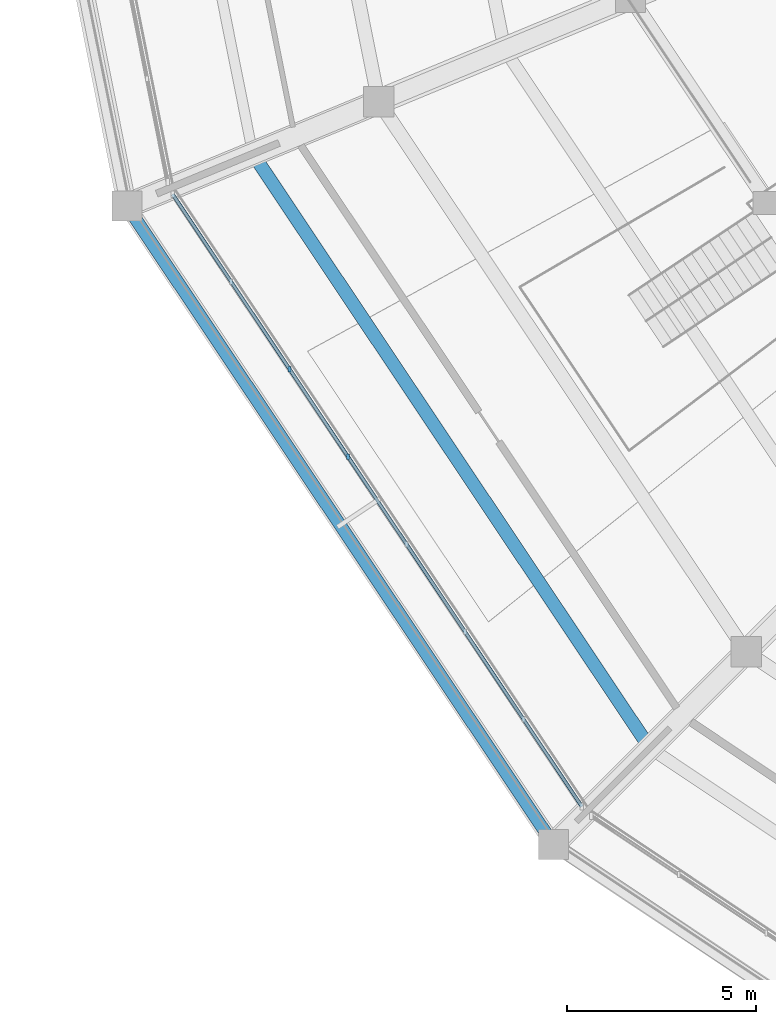
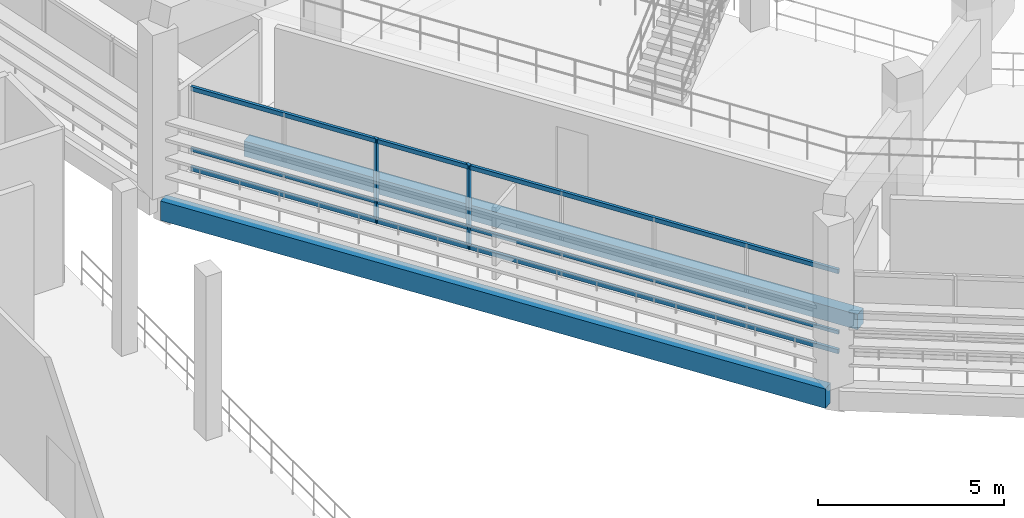
# One storey, part 8 of 96: 5 members, 2 beams, 1 element without a shape of its own.
"""IFC4 building model written with IfcOpenShell, lengths in metres."""

from ifc_helpers import new_model, si_unit, direction, frame, origin, origin_2d, place, context, subcontext, project, spatial, rectangle, extrude, material, material_profile, profile_set, type_object, element, aggregate, save


model = new_model("IFC4")

# Units and contexts
model_context = context("Model", 3, precision=1e-05, world=origin(), true_north=direction((0.0, 1.0)))
body_context = subcontext(model_context, "Body", "Model", "MODEL_VIEW")
ifc_project = project(units=[si_unit("LENGTHUNIT", "METRE"), si_unit("AREAUNIT", "SQUARE_METRE"), si_unit("VOLUMEUNIT", "CUBIC_METRE"), si_unit("PLANEANGLEUNIT", "RADIAN"), si_unit("MASSUNIT", "GRAM", prefix="KILO")], contexts=[model_context])

# Site, building, storey
site_placement = place(None, origin())
site = spatial("IfcSite", under=ifc_project, at=site_placement, CompositionType="ELEMENT")
building_placement = place(site_placement, origin())
building = spatial("IfcBuilding", under=site, at=building_placement, Name="Candeia Ridge Stadium", CompositionType="ELEMENT")
storey_placement = place(building_placement, frame((0.0, 0.0, 21.60009765625)))
storey = spatial("IfcBuildingStorey", under=building, at=storey_placement, Name="L04", CompositionType="ELEMENT", Elevation=21.60009765625)

# Curtain wall, members
ifc_material_1 = material(Name="Aluminium Anodized Warm Bronze", Category="aluminium")
curtain_wall_type = type_object("IfcCurtainWallType", Name="Concourse Recessed Unitised Curtain Wall", PredefinedType="NOTDEFINED", material=ifc_material_1)
curtain_wall_placement = place(storey_placement, origin())
curtain_wall = element("IfcCurtainWall", 1, at=curtain_wall_placement, inside=storey, type_object=curtain_wall_type, Name="Unitised curtain wall CW-BWL-L04-15", PredefinedType="NOTDEFINED")
ifc_material_profile_1 = material_profile(ifc_material_1, rectangle(XDim=0.074951171875, YDim=0.14990234375, at=origin_2d()), Name="CWM-75x150", Category="aluminium")
ifc_profile_set_1 = profile_set([ifc_material_profile_1], Name="Aluminium Anodized Warm Bronze")
member_type_1 = type_object("IfcMemberType", Name="Curtain Wall Secondary Mullion 75x150", PredefinedType="MULLION", material=ifc_profile_set_1)
member_1_placement = place(storey_placement, frame((27.256103515625, 46.78662109375, 0.0), z_axis=(0.0, 0.0, 1.0), x_axis=(1.0, 0.0, 0.0)))
member_1 = element("IfcMember", 2, at=member_1_placement, type_object=member_type_1, Name="Curtain wall mullion CW-BWL-L04-15-M2", PredefinedType="MULLION", context=body_context, shape_type="SweptSolid", body=[
    extrude(rectangle(XDim=0.074951171875, YDim=0.14990234375, at=origin_2d()), origin(), (0.0, 0.0, 1.0), 2.772216796875),
])
member_2_placement = place(storey_placement, frame((28.80078125, 44.47509765625, 0.0), z_axis=(0.0, 0.0, 1.0), x_axis=(1.0, 0.0, 0.0)))
member_2 = element("IfcMember", 3, at=member_2_placement, type_object=member_type_1, Name="Curtain wall mullion CW-BWL-L04-15-M3", PredefinedType="MULLION", context=body_context, shape_type="SweptSolid", body=[
    extrude(rectangle(XDim=0.074951171875, YDim=0.14990234375, at=origin_2d()), origin(), (0.0, 0.0, 1.0), 2.772216796875),
])
ifc_material_profile_2 = material_profile(ifc_material_1, rectangle(XDim=0.074951171875, YDim=0.110107421875, at=origin_2d()), Name="CWT-75x110", Category="aluminium")
ifc_profile_set_2 = profile_set([ifc_material_profile_2], Name="Aluminium Anodized Warm Bronze")
member_type_2 = type_object("IfcMemberType", Name="Curtain Wall Secondary Transom 75x110", PredefinedType="USERDEFINED", material=ifc_profile_set_2)
member_3_placement = place(storey_placement, frame((24.1669921875, 51.409912109375, 0.693115234375), z_axis=(0.555568394863, -0.831470840517, 0.0), x_axis=(0.831470840517, 0.555568394863, 0.0)))
member_3 = element("IfcMember", 4, at=member_3_placement, type_object=member_type_2, Name="Curtain wall transom CW-BWL-L04-15-T1", ObjectType="TRANSOM", PredefinedType="USERDEFINED", context=body_context, shape_type="SweptSolid", body=[
    extrude(rectangle(XDim=0.074951171875, YDim=0.110107421875, at=origin_2d()), origin(), (0.0, 0.0, 1.0), 19.461181640625),
])
ifc_material_profile_3 = material_profile(ifc_material_1, rectangle(XDim=0.090087890625, YDim=0.139892578125, at=origin_2d()), Name="CWT-90x140", Category="aluminium")
ifc_profile_set_3 = profile_set([ifc_material_profile_3], Name="Aluminium Anodized Warm Bronze")
member_type_3 = type_object("IfcMemberType", Name="Curtain Wall Transom 90x140", PredefinedType="USERDEFINED", material=ifc_profile_set_3)
member_4_placement = place(storey_placement, frame((24.1669921875, 51.409912109375, 0.06982421875), z_axis=(0.555568394863, -0.831470840517, 0.0), x_axis=(0.831470840517, 0.555568394863, 0.0)))
member_4 = element("IfcMember", 5, at=member_4_placement, type_object=member_type_3, Name="Curtain wall transom CW-BWL-L04-15-T0", ObjectType="TRANSOM", PredefinedType="USERDEFINED", context=body_context, shape_type="SweptSolid", body=[
    extrude(rectangle(XDim=0.090087890625, YDim=0.139892578125, at=origin_2d()), origin(), (0.0, 0.0, 1.0), 19.461181640625),
])
member_5_placement = place(storey_placement, frame((24.1669921875, 51.409912109375, 2.7021484375), z_axis=(0.555568394863, -0.831470840517, 0.0), x_axis=(0.831470840517, 0.555568394863, 0.0)))
member_5 = element("IfcMember", 6, at=member_5_placement, type_object=member_type_3, Name="Curtain wall transom CW-BWL-L04-15-T2", ObjectType="TRANSOM", PredefinedType="USERDEFINED", context=body_context, shape_type="SweptSolid", body=[
    extrude(rectangle(XDim=0.090087890625, YDim=0.139892578125, at=origin_2d()), origin(), (0.0, 0.0, 1.0), 19.461181640625),
])
aggregate(curtain_wall, [member_1, member_2, member_4, member_3, member_5])

# Beams
ifc_material_2 = material(Name="Concrete C40/50", Category="concrete")
ifc_material_profile_4 = material_profile(ifc_material_2, rectangle(XDim=0.35009765625, YDim=0.5, at=origin_2d()), Name="RC350x500", Category="concrete")
ifc_profile_set_4 = profile_set([ifc_material_profile_4], Name="Concrete C40/50")
beam_type_1 = type_object("IfcBeamType", Name="Floor Joist RC350x500", PredefinedType="JOIST", material=ifc_profile_set_4)
beam_1_placement = place(storey_placement, frame((26.407470703125, 52.29345703125, -0.510009765625), z_axis=(0.555573683674, -0.831467306639, 0.0), x_axis=(0.831467306639, 0.555573683674, 0.0)))
element("IfcBeam", 7, at=beam_1_placement, inside=storey, type_object=beam_type_1, Name="Concourse secondary joist BM-L04-0867", PredefinedType="JOIST", context=body_context, shape_type="SweptSolid", body=[
    extrude(rectangle(XDim=0.35009765625, YDim=0.5, at=origin_2d()), origin(), (0.0, 0.0, 1.0), 18.440673828125),
])
ifc_material_profile_5 = material_profile(ifc_material_2, rectangle(XDim=0.330078125, YDim=0.639892578125, at=origin_2d()), Name="RC330x640", Category="concrete")
ifc_profile_set_5 = profile_set([ifc_material_profile_5], Name="Concrete C40/50")
beam_type_2 = type_object("IfcBeamType", Name="Spandrel Beam RC330x640", PredefinedType="SPANDREL", material=ifc_profile_set_5)
beam_2_placement = place(storey_placement, frame((23.047119140625, 50.967529296875, -0.580078125), z_axis=(0.555571676938, -0.831468647505, 0.0), x_axis=(0.831468647505, 0.555571676938, 0.0)))
element("IfcBeam", 8, at=beam_2_placement, inside=storey, type_object=beam_type_2, Name="Bowl perimeter spandrel BM-L04-0865", PredefinedType="SPANDREL", context=body_context, shape_type="SweptSolid", body=[
    extrude(rectangle(XDim=0.330078125, YDim=0.639892578125, at=origin_2d()), origin(), (0.0, 0.0, 1.0), 19.969482421875),
])

save(model, "model.ifc")
